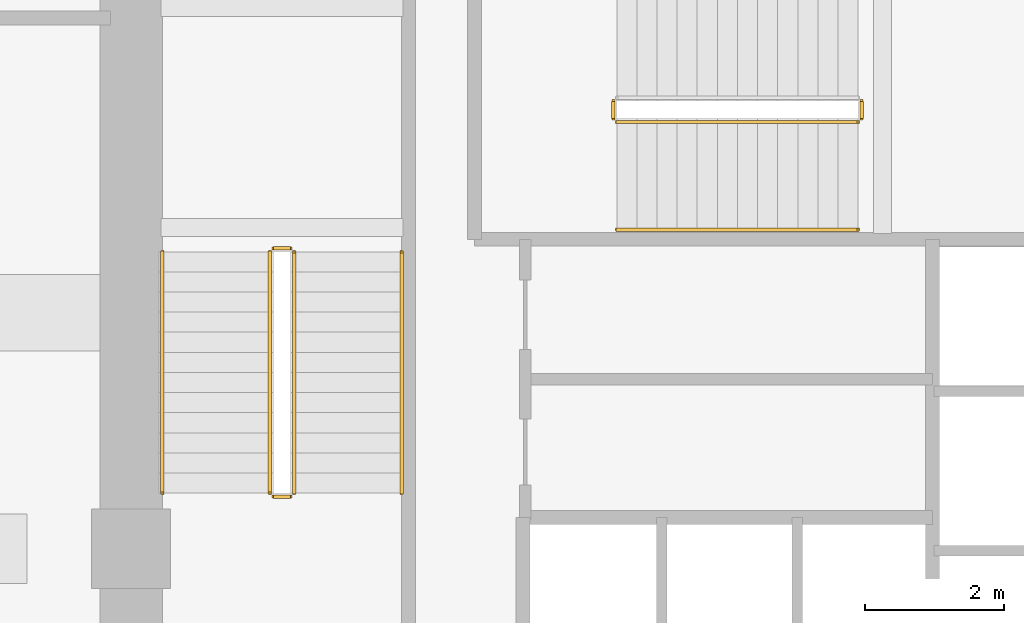
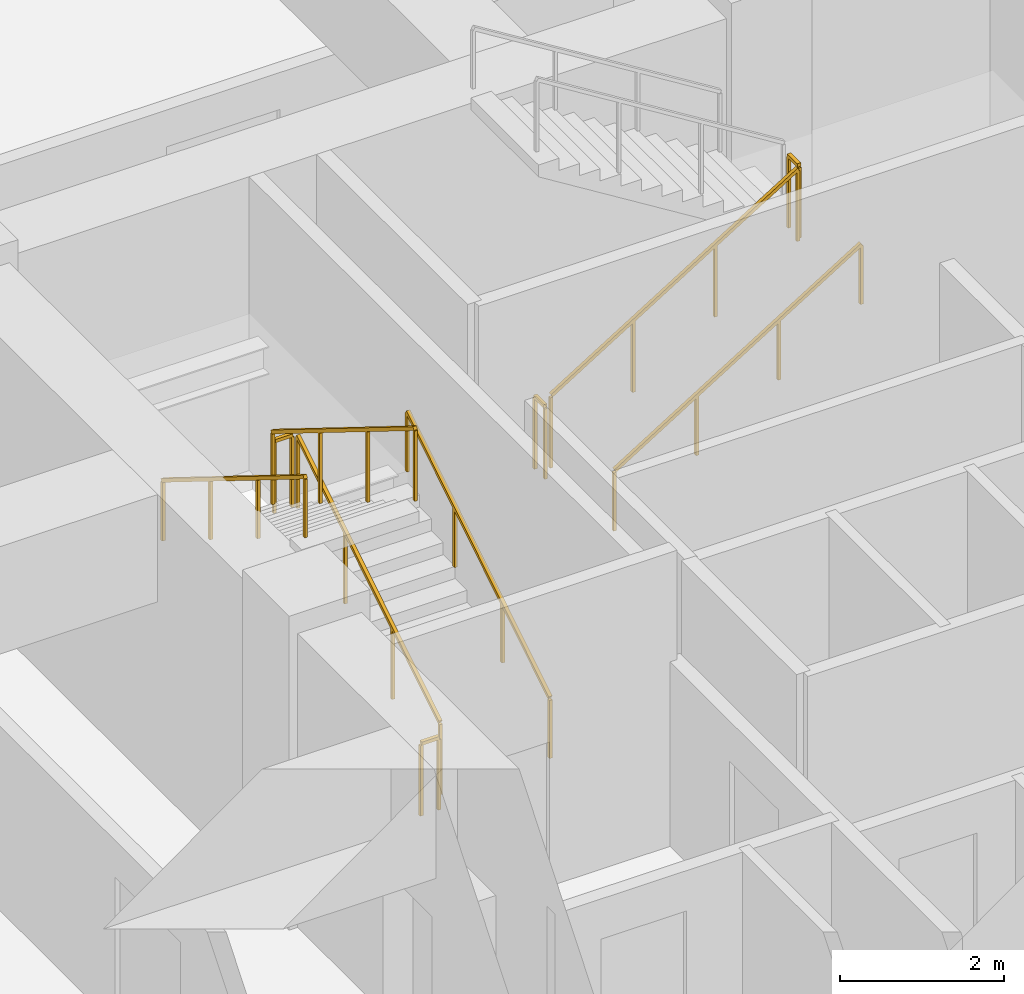
# One storey, part 8 of 10: 10 railings.
"""IFC4 building model written with IfcOpenShell, lengths in metres."""

from ifc_helpers import new_model, si_unit, derived_unit, direction, frame, origin, origin_2d, place, context, subcontext, project, spatial, rectangle, extrude, material, type_object, element, save


model = new_model("IFC4")

# Units and contexts
model_context = context("Model", 3, precision=1e-05, world=origin(), true_north=direction((0.0, 1.0)))
body_context = subcontext(model_context, "Body", "Model", "MODEL_VIEW")
ifc_project = project(units=[si_unit("LENGTHUNIT", "METRE"), si_unit("AREAUNIT", "SQUARE_METRE"), si_unit("VOLUMEUNIT", "CUBIC_METRE"), si_unit("PLANEANGLEUNIT", "RADIAN"), si_unit("MASSUNIT", "GRAM", prefix="KILO"), derived_unit("THERMALTRANSMITTANCEUNIT", [(si_unit("POWERUNIT", "WATT"), 1), (si_unit("LENGTHUNIT", "METRE"), -2), (si_unit("THERMODYNAMICTEMPERATUREUNIT", "KELVIN"), -1)])], contexts=[model_context])

# Site, building, storey
site_placement = place(None, origin())
site = spatial("IfcSite", under=ifc_project, at=site_placement, CompositionType="ELEMENT")
building_placement = place(site_placement, origin())
building = spatial("IfcBuilding", under=site, at=building_placement, Name="Koralith Skygarden Medical Center", CompositionType="ELEMENT")
storey_placement = place(building_placement, frame((0.0, 0.0, 70.739990234375)))
storey = spatial("IfcBuildingStorey", under=building, at=storey_placement, Name="L18", CompositionType="ELEMENT", Elevation=70.739990234375)

# Railings
ifc_material = material(Name="Steel ASTM A500 Grade C", Category="steel")
railing_type_1 = type_object("IfcRailingType", Name="Stair Flight Tubular Handrail 920", PredefinedType="HANDRAIL", material=ifc_material)
railing_1_placement = place(storey_placement, frame((29.699951171875, 26.699951171875, 0.179931640625)))
element("IfcRailing", 1, at=railing_1_placement, inside=storey, type_object=railing_type_1, Name="L18 ST1 stair handrail 1", PredefinedType="HANDRAIL", context=body_context, shape_type="SweptSolid", body=[
    extrude(rectangle(XDim=0.050048828125, YDim=0.050048828125, at=origin_2d()), frame((0.0, 0.001708984375, 0.89599609375), z_axis=(0.0, 0.849621746706, 0.527392536471), x_axis=(-1.0, 0.0, 0.0)), (0.0, 0.0, 1.0), 4.091796875),
    extrude(rectangle(XDim=0.0419921875, YDim=0.0419921875, at=origin_2d()), origin(), (0.0, 0.0, 1.0), 0.867919921875),
    extrude(rectangle(XDim=0.0419921875, YDim=0.0419921875, at=origin_2d()), frame((0.0, 1.159912109375, 0.719970703125)), (0.0, 0.0, 1.0), 0.867919921875),
    extrude(rectangle(XDim=0.0419921875, YDim=0.0419921875, at=origin_2d()), frame((0.0, 2.320068359375, 1.440185546875)), (0.0, 0.0, 1.0), 0.867919921875),
    extrude(rectangle(XDim=0.0419921875, YDim=0.0419921875, at=origin_2d()), frame((0.0, 3.47998046875, 2.16015625)), (0.0, 0.0, 1.0), 0.867919921875),
])
railing_2_placement = place(storey_placement, frame((26.25, 30.179931640625, 2.52001953125)))
element("IfcRailing", 2, at=railing_2_placement, inside=storey, type_object=railing_type_1, Name="L18 ST1 stair handrail 2", PredefinedType="HANDRAIL", context=body_context, shape_type="SweptSolid", body=[
    extrude(rectangle(XDim=0.050048828125, YDim=0.050048828125, at=origin_2d()), frame((0.0, -0.001708984375, 0.89599609375), z_axis=(0.0, -0.849648454892, 0.527349507537), x_axis=(1.0, 0.0, 0.0)), (0.0, 0.0, 1.0), 4.091796875),
    extrude(rectangle(XDim=0.0419921875, YDim=0.0419921875, at=origin_2d()), origin(), (0.0, 0.0, 1.0), 0.867919921875),
    extrude(rectangle(XDim=0.0419921875, YDim=0.0419921875, at=origin_2d()), frame((0.0, -1.159912109375, 0.719970703125)), (0.0, 0.0, 1.0), 0.867919921875),
    extrude(rectangle(XDim=0.0419921875, YDim=0.0419921875, at=origin_2d()), frame((0.0, -2.320068359375, 1.43994140625)), (0.0, 0.0, 1.0), 0.867919921875),
    extrude(rectangle(XDim=0.0419921875, YDim=0.0419921875, at=origin_2d()), frame((0.0, -3.47998046875, 2.159912109375)), (0.0, 0.0, 1.0), 0.867919921875),
])
railing_3_placement = place(storey_placement, frame((32.800048828125, 30.5, 0.179931640625)))
element("IfcRailing", 3, at=railing_3_placement, inside=storey, type_object=railing_type_1, Name="L18 ST3 stair handrail 1", PredefinedType="HANDRAIL", context=body_context, shape_type="SweptSolid", body=[
    extrude(rectangle(XDim=0.050048828125, YDim=0.050048828125, at=origin_2d()), frame((0.001708984375, 0.0, 0.89599609375), z_axis=(0.849621746706, 0.0, 0.527392536471), x_axis=(0.0, 1.0, 0.0)), (0.0, 0.0, 1.0), 4.091796875),
    extrude(rectangle(XDim=0.0419921875, YDim=0.0419921875, at=origin_2d()), origin(), (0.0, 0.0, 1.0), 0.867919921875),
    extrude(rectangle(XDim=0.0419921875, YDim=0.0419921875, at=origin_2d()), frame((1.159912109375, 0.0, 0.719970703125)), (0.0, 0.0, 1.0), 0.867919921875),
    extrude(rectangle(XDim=0.0419921875, YDim=0.0419921875, at=origin_2d()), frame((2.320068359375, 0.0, 1.440185546875)), (0.0, 0.0, 1.0), 0.867919921875),
    extrude(rectangle(XDim=0.0419921875, YDim=0.0419921875, at=origin_2d()), frame((3.47998046875, 0.0, 2.16015625)), (0.0, 0.0, 1.0), 0.867919921875),
])
railing_type_2 = type_object("IfcRailingType", Name="Stair Well Safety Guardrail 1100", PredefinedType="GUARDRAIL", material=ifc_material)
railing_4_placement = place(storey_placement, frame((28.14990234375, 26.699951171875, 0.179931640625)))
element("IfcRailing", 4, at=railing_4_placement, inside=storey, type_object=railing_type_2, Name="L18 ST1 stair guard 1", PredefinedType="GUARDRAIL", context=body_context, shape_type="SweptSolid", body=[
    extrude(rectangle(XDim=0.050048828125, YDim=0.050048828125, at=origin_2d()), frame((0.0, 0.001708984375, 1.076171875), z_axis=(0.0, 0.849621746706, 0.527392536471), x_axis=(-1.0, 0.0, 0.0)), (0.0, 0.0, 1.0), 4.091796875),
    extrude(rectangle(XDim=0.0419921875, YDim=0.0419921875, at=origin_2d()), origin(), (0.0, 0.0, 1.0), 1.048095703125),
    extrude(rectangle(XDim=0.0419921875, YDim=0.0419921875, at=origin_2d()), frame((0.0, 1.159912109375, 0.719970703125)), (0.0, 0.0, 1.0), 1.048095703125),
    extrude(rectangle(XDim=0.0419921875, YDim=0.0419921875, at=origin_2d()), frame((0.0, 2.320068359375, 1.440185546875)), (0.0, 0.0, 1.0), 1.048095703125),
    extrude(rectangle(XDim=0.0419921875, YDim=0.0419921875, at=origin_2d()), frame((0.0, 3.47998046875, 2.16015625)), (0.0, 0.0, 1.0), 1.048095703125),
])
railing_5_placement = place(storey_placement, frame((28.10009765625, 30.22998046875, 2.340087890625)))
element("IfcRailing", 5, at=railing_5_placement, inside=storey, type_object=railing_type_2, Name="L18 ST1 stair guard 2", PredefinedType="GUARDRAIL", context=body_context, shape_type="SweptSolid", body=[
    extrude(rectangle(XDim=0.050048828125, YDim=0.050048828125, at=origin_2d()), frame((-0.001953125, 0.0, 1.0751953125), z_axis=(-1.0, 0.0, 0.0), x_axis=(0.0, -1.0, 0.0)), (0.0, 0.0, 1.0), 0.24609375),
    extrude(rectangle(XDim=0.0419921875, YDim=0.0419921875, at=origin_2d()), origin(), (0.0, 0.0, 1.0), 1.048095703125),
    extrude(rectangle(XDim=0.0419921875, YDim=0.0419921875, at=origin_2d()), frame((-0.25, 0.0, 0.0)), (0.0, 0.0, 1.0), 1.048095703125),
])
railing_6_placement = place(storey_placement, frame((27.800048828125, 30.179931640625, 2.52001953125)))
element("IfcRailing", 6, at=railing_6_placement, inside=storey, type_object=railing_type_2, Name="L18 ST1 stair guard 3", PredefinedType="GUARDRAIL", context=body_context, shape_type="SweptSolid", body=[
    extrude(rectangle(XDim=0.050048828125, YDim=0.050048828125, at=origin_2d()), frame((0.0, -0.001708984375, 1.076171875), z_axis=(0.0, -0.849648454892, 0.527349507537), x_axis=(1.0, 0.0, 0.0)), (0.0, 0.0, 1.0), 4.091796875),
    extrude(rectangle(XDim=0.0419921875, YDim=0.0419921875, at=origin_2d()), origin(), (0.0, 0.0, 1.0), 1.048095703125),
    extrude(rectangle(XDim=0.0419921875, YDim=0.0419921875, at=origin_2d()), frame((0.0, -1.159912109375, 0.719970703125)), (0.0, 0.0, 1.0), 1.048095703125),
    extrude(rectangle(XDim=0.0419921875, YDim=0.0419921875, at=origin_2d()), frame((0.0, -2.320068359375, 1.43994140625)), (0.0, 0.0, 1.0), 1.048095703125),
    extrude(rectangle(XDim=0.0419921875, YDim=0.0419921875, at=origin_2d()), frame((0.0, -3.47998046875, 2.159912109375)), (0.0, 0.0, 1.0), 1.048095703125),
])
railing_7_placement = place(storey_placement, frame((28.10009765625, 26.64990234375, 0.0)))
element("IfcRailing", 7, at=railing_7_placement, inside=storey, type_object=railing_type_2, Name="L18 ST1 stair guard 4", PredefinedType="GUARDRAIL", context=body_context, shape_type="SweptSolid", body=[
    extrude(rectangle(XDim=0.050048828125, YDim=0.050048828125, at=origin_2d()), frame((-0.001953125, 0.0, 1.0751953125), z_axis=(-1.0, 0.0, 0.0), x_axis=(0.0, -1.0, 0.0)), (0.0, 0.0, 1.0), 0.24609375),
    extrude(rectangle(XDim=0.0419921875, YDim=0.0419921875, at=origin_2d()), origin(), (0.0, 0.0, 1.0), 1.048095703125),
    extrude(rectangle(XDim=0.0419921875, YDim=0.0419921875, at=origin_2d()), frame((-0.25, 0.0, 0.0)), (0.0, 0.0, 1.0), 1.048095703125),
])
railing_8_placement = place(storey_placement, frame((32.800048828125, 32.050048828125, 0.179931640625)))
element("IfcRailing", 8, at=railing_8_placement, inside=storey, type_object=railing_type_2, Name="L18 ST3 stair guard 1", PredefinedType="GUARDRAIL", context=body_context, shape_type="SweptSolid", body=[
    extrude(rectangle(XDim=0.050048828125, YDim=0.050048828125, at=origin_2d()), frame((0.001708984375, 0.0, 1.076171875), z_axis=(0.849621746706, 0.0, 0.527392536471), x_axis=(0.0, 1.0, 0.0)), (0.0, 0.0, 1.0), 4.091796875),
    extrude(rectangle(XDim=0.0419921875, YDim=0.0419921875, at=origin_2d()), origin(), (0.0, 0.0, 1.0), 1.048095703125),
    extrude(rectangle(XDim=0.0419921875, YDim=0.0419921875, at=origin_2d()), frame((1.159912109375, 0.0, 0.719970703125)), (0.0, 0.0, 1.0), 1.048095703125),
    extrude(rectangle(XDim=0.0419921875, YDim=0.0419921875, at=origin_2d()), frame((2.320068359375, 0.0, 1.440185546875)), (0.0, 0.0, 1.0), 1.048095703125),
    extrude(rectangle(XDim=0.0419921875, YDim=0.0419921875, at=origin_2d()), frame((3.47998046875, 0.0, 2.16015625)), (0.0, 0.0, 1.0), 1.048095703125),
])
for number, where, name in (
    (9, (36.330078125, 32.10009765625, 2.340087890625), "L18 ST3 stair guard 2"),
    (10, (32.75, 32.10009765625, 0.0), "L18 ST3 stair guard 4"),
):
    element("IfcRailing", number, at=place(storey_placement, frame(where)), inside=storey, type_object=railing_type_2, Name=name, PredefinedType="GUARDRAIL", context=body_context, shape_type="SweptSolid", body=[
        extrude(rectangle(XDim=0.050048828125, YDim=0.050048828125, at=origin_2d()), frame((0.0, 0.001953125, 1.0751953125), z_axis=(0.0, 1.0, 0.0), x_axis=(-1.0, 0.0, 0.0)), (0.0, 0.0, 1.0), 0.24609375),
        extrude(rectangle(XDim=0.0419921875, YDim=0.0419921875, at=origin_2d()), origin(), (0.0, 0.0, 1.0), 1.048095703125),
        extrude(rectangle(XDim=0.0419921875, YDim=0.0419921875, at=origin_2d()), frame((0.0, 0.25, 0.0)), (0.0, 0.0, 1.0), 1.048095703125),
    ])

save(model, "model.ifc")
